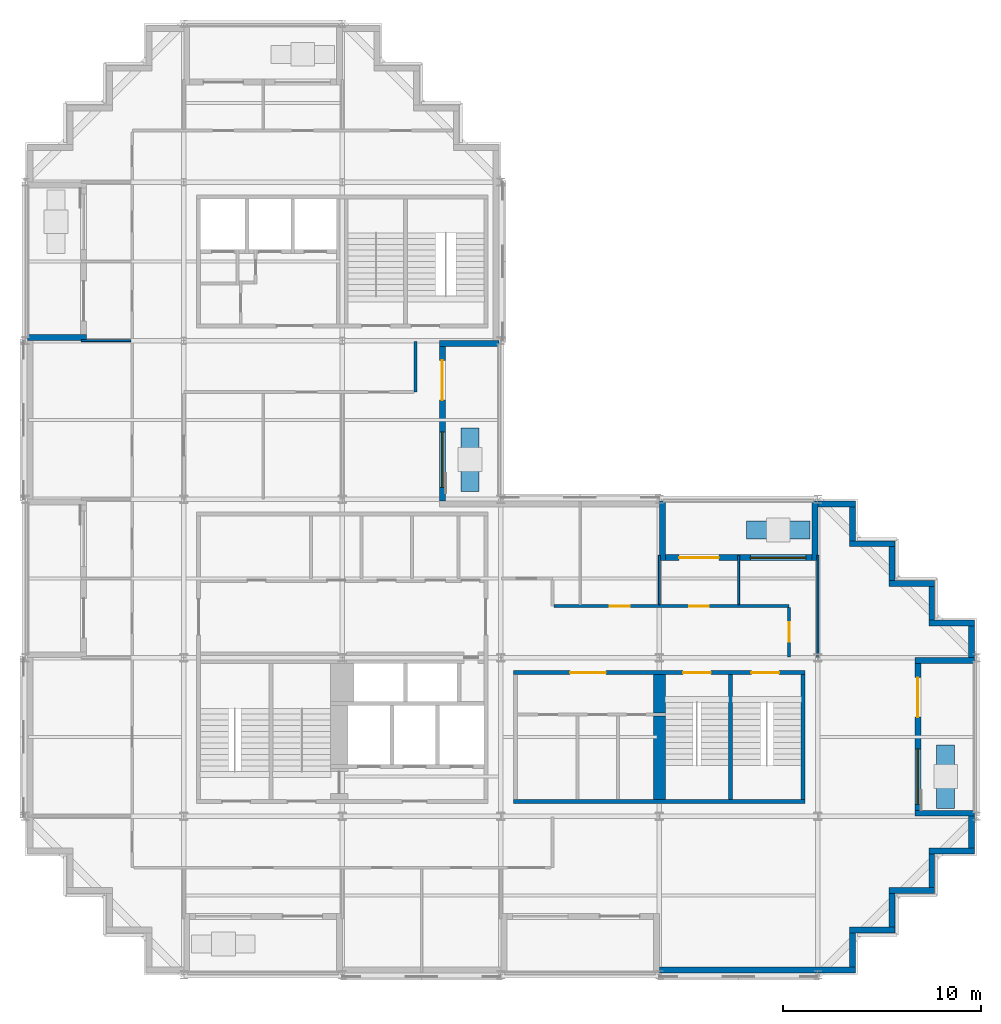
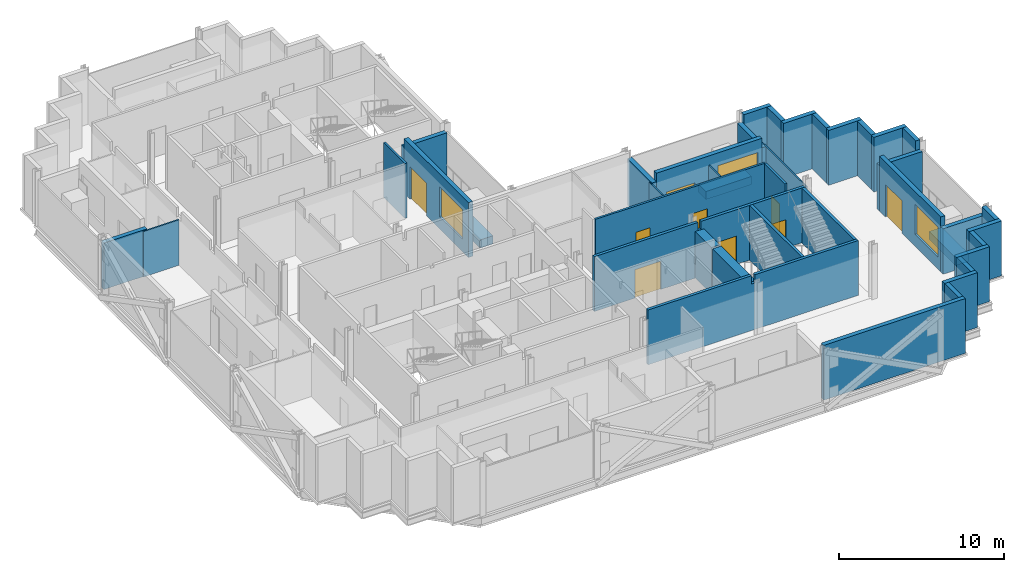
# One storey, part 7 of 13: 41 walls, 9 doors, 3 windows, 12 openings.
"""IFC4 building model written with IfcOpenShell, lengths in metres."""

from ifc_helpers import new_model, si_unit, direction, frame, frame_2d, origin, place, context, subcontext, project, spatial, polyline, rectangle, outline, extrude, material, layer, layer_set, type_object, element, fill, save


model = new_model("IFC4")

# Units and contexts
model_context = context("Model", 3, precision=1e-05, world=origin(), true_north=direction((0.0, 1.0)))
body_context = subcontext(model_context, "Body", "Model", "MODEL_VIEW")
ifc_project = project(units=[si_unit("LENGTHUNIT", "METRE"), si_unit("AREAUNIT", "SQUARE_METRE"), si_unit("VOLUMEUNIT", "CUBIC_METRE"), si_unit("PLANEANGLEUNIT", "RADIAN"), si_unit("MASSUNIT", "GRAM", prefix="KILO")], contexts=[model_context])

# Site, building, storey
site_placement = place(None, origin())
site = spatial("IfcSite", under=ifc_project, at=site_placement, CompositionType="ELEMENT")
building_placement = place(site_placement, origin())
building = spatial("IfcBuilding", under=site, at=building_placement, Name="Immortelle Media Tower", CompositionType="ELEMENT")
storey_placement = place(building_placement, frame((0.0, 0.0, 174.60009765625)))
storey = spatial("IfcBuildingStorey", under=building, at=storey_placement, Name="L36", CompositionType="ELEMENT", Elevation=174.60009765625)

# Wall, opening, door
ifc_material_1 = material(Name="Fire-rated gypsum board", Category="gypsum")
ifc_layer_1 = layer(ifc_material_1, 0.012451171875)
ifc_material_2 = material(Name="Steel ASTM A653 SS Gr 50 stud frame with mineral wool", Category="steel")
ifc_layer_2 = layer(ifc_material_2, 0.125)
ifc_layer_3 = layer(ifc_material_1, 0.012451171875)
ifc_layer_set_1 = layer_set([ifc_layer_1, ifc_layer_2, ifc_layer_3], Name="Steel ASTM A653 SS Gr 50 stud frame with mineral wool")
wall_type_1 = type_object("IfcWallType", Name="Corridor wall 150", PredefinedType="PARTITIONING", material=ifc_layer_set_1)
wall_1_placement = place(storey_placement, frame((38.550048828125, 16.030029296875, 0.0), z_axis=(0.0, 0.0, 1.0), x_axis=(0.0, 1.0, 0.0)))
wall_1 = element("IfcWall", 1, at=wall_1_placement, inside=storey, type_object=wall_type_1, Name="Partition L36-010", PredefinedType="PARTITIONING", context=body_context, shape_type="SweptSolid", body=[
    extrude(rectangle(XDim=2.494873046875, YDim=0.14990234375, at=frame_2d((1.24755859375, 0.0))), origin(), (0.0, 0.0, 1.0), 4.0498046875),
])
opening_1_placement = place(wall_1_placement, frame((1.77001953125, 0.0, 0.0), z_axis=(0.0, 0.0, 1.0), x_axis=(-1.0, 0.0, 0.0)))
opening_1 = element("IfcOpeningElement", 2, at=opening_1_placement, cuts=wall_1, Name="Opening C6-F008", PredefinedType="OPENING", context=body_context, shape_type="SweptSolid", body=[
    extrude(rectangle(XDim=1.0, YDim=2.10009765625, at=frame_2d((0.5, 1.050048828125))), frame((0.0, 0.0849609375, 0.0), z_axis=(0.0, -1.0, 0.0), x_axis=(1.0, 0.0, 0.0)), (0.0, 0.0, 1.0), 0.169921875),
])
ifc_material_3 = material(Name="Timber veneered door leaf, galvanised steel frame ASTM A653", Category="steel")
door_type_1 = type_object("IfcDoorType", Name="Room door 1000 x 2100", OperationType="NOTDEFINED", PredefinedType="DOOR", material=ifc_material_3)
door_1_placement = place(opening_1_placement, origin())
door_1 = element("IfcDoor", 3, at=door_1_placement, inside=storey, type_object=door_type_1, Name="Door C6-F008", OperationType="SINGLE_SWING_RIGHT", OverallHeight=2.10009765625, OverallWidth=1.0, PredefinedType="DOOR", context=body_context, shape_type="SweptSolid", body=[
    extrude(rectangle(XDim=1.0, YDim=2.10009765625, at=frame_2d((0.5, 1.050048828125))), frame((0.0, 0.02490234375, 0.0), z_axis=(0.0, -1.0, 0.0), x_axis=(1.0, 0.0, 0.0)), (0.0, 0.0, 1.0), 0.050048828125),
])
fill(opening_1, door_1)

# Wall, openings, doors
wall_2_placement = place(storey_placement, frame((26.675048828125, 18.60009765625, 0.0), z_axis=(0.0, 0.0, 1.0), x_axis=(1.0, 0.0, 0.0)))
wall_2 = element("IfcWall", 4, at=wall_2_placement, inside=storey, type_object=wall_type_1, Name="Partition L36-012", PredefinedType="PARTITIONING", context=body_context, shape_type="SweptSolid", body=[
    extrude(rectangle(XDim=11.875, YDim=0.14990234375, at=frame_2d((5.9375, 0.0))), origin(), (0.0, 0.0, 1.0), 4.0498046875),
])
opening_2_placement = place(wall_2_placement, frame((6.824951171875, 0.0, 0.0)))
opening_2 = element("IfcOpeningElement", 5, at=opening_2_placement, cuts=wall_2, Name="Opening C6-F007", PredefinedType="OPENING", context=body_context, shape_type="SweptSolid", body=[
    extrude(rectangle(XDim=1.0, YDim=2.10009765625, at=frame_2d((0.5, 1.050048828125))), frame((0.0, 0.0849609375, 0.0), z_axis=(0.0, -1.0, 0.0), x_axis=(1.0, 0.0, 0.0)), (0.0, 0.0, 1.0), 0.169921875),
])
opening_3_placement = place(wall_2_placement, frame((2.824951171875, 0.0, 0.0)))
opening_3 = element("IfcOpeningElement", 6, at=opening_3_placement, cuts=wall_2, Name="Opening C6-F012", PredefinedType="OPENING", context=body_context, shape_type="SweptSolid", body=[
    extrude(rectangle(XDim=1.0, YDim=2.10009765625, at=frame_2d((0.5, 1.050048828125))), frame((0.0, 0.0849609375, 0.0), z_axis=(0.0, -1.0, 0.0), x_axis=(1.0, 0.0, 0.0)), (0.0, 0.0, 1.0), 0.169921875),
])
door_2_placement = place(opening_2_placement, origin())
door_2 = element("IfcDoor", 7, at=door_2_placement, inside=storey, type_object=door_type_1, Name="Door C6-F007", OperationType="SINGLE_SWING_LEFT", OverallHeight=2.10009765625, OverallWidth=1.0, PredefinedType="DOOR", context=body_context, shape_type="SweptSolid", body=[
    extrude(rectangle(XDim=1.0, YDim=2.10009765625, at=frame_2d((0.5, 1.050048828125))), frame((0.0, 0.02490234375, 0.0), z_axis=(0.0, -1.0, 0.0), x_axis=(1.0, 0.0, 0.0)), (0.0, 0.0, 1.0), 0.050048828125),
])
fill(opening_2, door_2)
door_3_placement = place(opening_3_placement, origin())
door_3 = element("IfcDoor", 8, at=door_3_placement, inside=storey, type_object=door_type_1, Name="Door C6-F012", OperationType="SINGLE_SWING_RIGHT", OverallHeight=2.10009765625, OverallWidth=1.0, PredefinedType="DOOR", context=body_context, shape_type="SweptSolid", body=[
    extrude(rectangle(XDim=1.0, YDim=2.10009765625, at=frame_2d((0.5, 1.050048828125))), frame((0.0, 0.02490234375, 0.0), z_axis=(0.0, -1.0, 0.0), x_axis=(1.0, 0.0, 0.0)), (0.0, 0.0, 1.0), 0.050048828125),
])
fill(opening_3, door_3)

# Walls
wall_3_placement = place(storey_placement, frame((19.699951171875, 29.39990234375, 0.0), z_axis=(0.0, 0.0, 1.0), x_axis=(0.0, 1.0, 0.0)))
element("IfcWall", 9, at=wall_3_placement, inside=storey, type_object=wall_type_1, Name="Partition L36-024", PredefinedType="PARTITIONING", context=body_context, shape_type="SweptSolid", body=[
    extrude(rectangle(XDim=2.570068359375, YDim=0.14990234375, at=frame_2d((1.28515625, 0.0))), origin(), (0.0, 0.0, 1.0), 4.0498046875),
])
ifc_material_4 = material(Name="Pale aluminium cladding panel", Category="aluminium")
ifc_layer_4 = layer(ifc_material_4, 0.030029296875)
ifc_layer_5 = layer(ifc_material_2, 0.257568359375)
ifc_material_5 = material(Name="Moisture-resistant gypsum board", Category="gypsum")
ifc_layer_6 = layer(ifc_material_5, 0.012451171875)
ifc_layer_set_2 = layer_set([ifc_layer_4, ifc_layer_5, ifc_layer_6], Name="Steel ASTM A653 SS Gr 50 stud frame with mineral wool")
wall_type_2 = type_object("IfcWallType", Name="Facade wall 300", PredefinedType="SOLIDWALL", material=ifc_layer_set_2)
wall_4_placement = place(storey_placement, frame((32.0, 0.25, 0.0), z_axis=(0.0, 0.0, 1.0), x_axis=(1.0, 0.0, 0.0)))
element("IfcWall", 10, at=wall_4_placement, inside=storey, type_object=wall_type_2, Name="Facade wall L36 S6", PredefinedType="SOLIDWALL", context=body_context, shape_type="SweptSolid", body=[
    extrude(rectangle(XDim=9.89990234375, YDim=0.300048828125, at=frame_2d((4.949951171875, 0.0))), origin(), (0.0, 0.0, 1.0), 4.0498046875),
])
wall_5_placement = place(storey_placement, frame((41.75, 0.39990234375, 0.0), z_axis=(0.0, 0.0, 1.0), x_axis=(0.0, 1.0, 0.0)))
element("IfcWall", 11, at=wall_5_placement, inside=storey, type_object=wall_type_2, Name="Facade wall L36 E7", PredefinedType="SOLIDWALL", context=body_context, shape_type="SweptSolid", body=[
    extrude(rectangle(XDim=1.7001953125, YDim=0.300048828125, at=frame_2d((0.85009765625, 0.0))), origin(), (0.0, 0.0, 1.0), 4.0498046875),
])
wall_6_placement = place(storey_placement, frame((41.60009765625, 2.25, 0.0), z_axis=(0.0, 0.0, 1.0), x_axis=(1.0, 0.0, 0.0)))
element("IfcWall", 12, at=wall_6_placement, inside=storey, type_object=wall_type_2, Name="Facade wall L36 S8", PredefinedType="SOLIDWALL", context=body_context, shape_type="SweptSolid", body=[
    extrude(rectangle(XDim=2.2998046875, YDim=0.300048828125, at=frame_2d((1.14990234375, 0.0))), origin(), (0.0, 0.0, 1.0), 4.0498046875),
])
wall_7_placement = place(storey_placement, frame((43.75, 2.39990234375, 0.0), z_axis=(0.0, 0.0, 1.0), x_axis=(0.0, 1.0, 0.0)))
element("IfcWall", 13, at=wall_7_placement, inside=storey, type_object=wall_type_2, Name="Facade wall L36 E9", PredefinedType="SOLIDWALL", context=body_context, shape_type="SweptSolid", body=[
    extrude(rectangle(XDim=1.7001953125, YDim=0.300048828125, at=frame_2d((0.85009765625, 0.0))), origin(), (0.0, 0.0, 1.0), 4.0498046875),
])
wall_8_placement = place(storey_placement, frame((43.60009765625, 4.25, 0.0), z_axis=(0.0, 0.0, 1.0), x_axis=(1.0, 0.0, 0.0)))
element("IfcWall", 14, at=wall_8_placement, inside=storey, type_object=wall_type_2, Name="Facade wall L36 S10", PredefinedType="SOLIDWALL", context=body_context, shape_type="SweptSolid", body=[
    extrude(rectangle(XDim=2.2998046875, YDim=0.300048828125, at=frame_2d((1.14990234375, 0.0))), origin(), (0.0, 0.0, 1.0), 4.0498046875),
])
wall_9_placement = place(storey_placement, frame((45.75, 4.39990234375, 0.0), z_axis=(0.0, 0.0, 1.0), x_axis=(0.0, 1.0, 0.0)))
element("IfcWall", 15, at=wall_9_placement, inside=storey, type_object=wall_type_2, Name="Facade wall L36 E11", PredefinedType="SOLIDWALL", context=body_context, shape_type="SweptSolid", body=[
    extrude(rectangle(XDim=1.7001953125, YDim=0.300048828125, at=frame_2d((0.85009765625, 0.0))), origin(), (0.0, 0.0, 1.0), 4.0498046875),
])
wall_10_placement = place(storey_placement, frame((45.60009765625, 6.25, 0.0), z_axis=(0.0, 0.0, 1.0), x_axis=(1.0, 0.0, 0.0)))
element("IfcWall", 16, at=wall_10_placement, inside=storey, type_object=wall_type_2, Name="Facade wall L36 S12", PredefinedType="SOLIDWALL", context=body_context, shape_type="SweptSolid", body=[
    extrude(rectangle(XDim=2.2998046875, YDim=0.300048828125, at=frame_2d((1.14990234375, 0.0))), origin(), (0.0, 0.0, 1.0), 4.0498046875),
])
wall_11_placement = place(storey_placement, frame((47.75, 6.39990234375, 0.0), z_axis=(0.0, 0.0, 1.0), x_axis=(0.0, 1.0, 0.0)))
element("IfcWall", 17, at=wall_11_placement, inside=storey, type_object=wall_type_2, Name="Facade wall L36 E13", PredefinedType="SOLIDWALL", context=body_context, shape_type="SweptSolid", body=[
    extrude(rectangle(XDim=1.60009765625, YDim=0.300048828125, at=frame_2d((0.800048828125, 0.0))), origin(), (0.0, 0.0, 1.0), 4.0498046875),
])

# Wall, openings, door, window
wall_12_placement = place(storey_placement, frame((45.050048828125, 8.300048828125, 0.0), z_axis=(0.0, 0.0, 1.0), x_axis=(0.0, 1.0, 0.0)))
wall_12 = element("IfcWall", 18, at=wall_12_placement, inside=storey, type_object=wall_type_2, Name="Loggia wall L36 E13", PredefinedType="SOLIDWALL", context=body_context, shape_type="SweptSolid", body=[
    extrude(rectangle(XDim=7.39990234375, YDim=0.300048828125, at=frame_2d((3.699951171875, 0.0))), origin(), (0.0, 0.0, 1.0), 4.0498046875),
])
opening_4_placement = place(wall_12_placement, frame((0.300048828125, 0.0, 0.89990234375)))
opening_4 = element("IfcOpeningElement", 19, at=opening_4_placement, cuts=wall_12, Name="Opening W1", PredefinedType="OPENING", context=body_context, shape_type="SweptSolid", body=[
    extrude(rectangle(XDim=2.800048828125, YDim=2.199951171875, at=frame_2d((1.39990234375, 1.10009765625))), frame((0.0, 0.159912109375, 0.0), z_axis=(0.0, -1.0, 0.0), x_axis=(1.0, 0.0, 0.0)), (0.0, 0.0, 1.0), 0.320068359375),
])
opening_5_placement = place(wall_12_placement, frame((4.699951171875, 0.0, 0.0)))
opening_5 = element("IfcOpeningElement", 20, at=opening_5_placement, cuts=wall_12, Name="Opening C6-E003", PredefinedType="OPENING", context=body_context, shape_type="SweptSolid", body=[
    extrude(rectangle(XDim=2.0, YDim=2.39990234375, at=frame_2d((1.0, 1.199951171875))), frame((0.0, 0.159912109375, 0.0), z_axis=(0.0, -1.0, 0.0), x_axis=(1.0, 0.0, 0.0)), (0.0, 0.0, 1.0), 0.320068359375),
])
ifc_material_6 = material(Name="Aluminium frame, glazed leaves", Category="aluminium")
door_type_2 = type_object("IfcDoorType", Name="Loggia door 2000 x 2400", OperationType="DOUBLE_DOOR_SINGLE_SWING", PredefinedType="DOOR", material=ifc_material_6)
door_4_placement = place(opening_5_placement, origin())
door_4 = element("IfcDoor", 21, at=door_4_placement, inside=storey, type_object=door_type_2, Name="Door C6-E003", OperationType="DOUBLE_DOOR_SINGLE_SWING", OverallHeight=2.39990234375, OverallWidth=2.0, PredefinedType="DOOR", context=body_context, shape_type="SweptSolid", body=[
    extrude(rectangle(XDim=2.0, YDim=2.39990234375, at=frame_2d((1.0, 1.199951171875))), frame((0.0, 0.02490234375, 0.0), z_axis=(0.0, -1.0, 0.0), x_axis=(1.0, 0.0, 0.0)), (0.0, 0.0, 1.0), 0.050048828125),
])
fill(opening_5, door_4)
ifc_material_7 = material(Name="Aluminium frame", Category="aluminium")
window_type = type_object("IfcWindowType", Name="Window 2800 x 2200", PartitioningType="SINGLE_PANEL", PredefinedType="WINDOW", material=ifc_material_7)
window_1_placement = place(opening_4_placement, origin())
window_1 = element("IfcWindow", 22, at=window_1_placement, inside=storey, type_object=window_type, Name="Window L36 L36-R13-B0", OverallHeight=2.199951171875, OverallWidth=2.800048828125, PartitioningType="SINGLE_PANEL", PredefinedType="WINDOW", context=body_context, shape_type="SweptSolid", body=[
    extrude(rectangle(XDim=2.800048828125, YDim=2.199951171875, at=frame_2d((1.39990234375, 1.10009765625))), frame((0.0, 0.030029296875, 0.0), z_axis=(0.0, -1.0, 0.0), x_axis=(1.0, 0.0, 0.0)), (0.0, 0.0, 1.0), 0.06005859375),
])
fill(opening_4, window_1)

# Walls
for number, where, z_axis, x_axis, name in (
    (23, (47.89990234375, 8.14990234375, 0.0), (0.0, 0.0, 1.0), (-1.0, 0.0, 0.0), "Loggia cheek wall L36 E"),
    (24, (47.89990234375, 15.85009765625, 0.0), (0.0, 0.0, 1.0), (-1.0, 0.0, 0.0), "Loggia cheek wall L36 E"),
):
    element("IfcWall", number, at=place(storey_placement, frame(where, z_axis=z_axis, x_axis=x_axis)), inside=storey, type_object=wall_type_2, Name=name, PredefinedType="SOLIDWALL", context=body_context, shape_type="SweptSolid", body=[
        extrude(rectangle(XDim=3.0, YDim=0.300048828125, at=frame_2d((1.5, 0.0))), origin(), (0.0, 0.0, 1.0), 3.352783203125),
    ])
wall_13_placement = place(storey_placement, frame((47.75, 16.0, 0.0), z_axis=(0.0, 0.0, 1.0), x_axis=(0.0, 1.0, 0.0)))
element("IfcWall", 25, at=wall_13_placement, inside=storey, type_object=wall_type_2, Name="Facade wall L36 E13", PredefinedType="SOLIDWALL", context=body_context, shape_type="SweptSolid", body=[
    extrude(rectangle(XDim=1.60009765625, YDim=0.300048828125, at=frame_2d((0.800048828125, 0.0))), origin(), (0.0, 0.0, 1.0), 4.0498046875),
])
wall_14_placement = place(storey_placement, frame((47.89990234375, 17.75, 0.0), z_axis=(0.0, 0.0, 1.0), x_axis=(-1.0, 0.0, 0.0)))
element("IfcWall", 26, at=wall_14_placement, inside=storey, type_object=wall_type_2, Name="Facade wall L36 N14", PredefinedType="SOLIDWALL", context=body_context, shape_type="SweptSolid", body=[
    extrude(rectangle(XDim=2.2998046875, YDim=0.300048828125, at=frame_2d((1.14990234375, 0.0))), origin(), (0.0, 0.0, 1.0), 4.0498046875),
])
wall_15_placement = place(storey_placement, frame((45.75, 17.89990234375, 0.0), z_axis=(0.0, 0.0, 1.0), x_axis=(0.0, 1.0, 0.0)))
element("IfcWall", 27, at=wall_15_placement, inside=storey, type_object=wall_type_2, Name="Facade wall L36 E15", PredefinedType="SOLIDWALL", context=body_context, shape_type="SweptSolid", body=[
    extrude(rectangle(XDim=1.7001953125, YDim=0.300048828125, at=frame_2d((0.85009765625, 0.0))), origin(), (0.0, 0.0, 1.0), 4.0498046875),
])
wall_16_placement = place(storey_placement, frame((45.89990234375, 19.75, 0.0), z_axis=(0.0, 0.0, 1.0), x_axis=(-1.0, 0.0, 0.0)))
element("IfcWall", 28, at=wall_16_placement, inside=storey, type_object=wall_type_2, Name="Facade wall L36 N16", PredefinedType="SOLIDWALL", context=body_context, shape_type="SweptSolid", body=[
    extrude(rectangle(XDim=2.2998046875, YDim=0.300048828125, at=frame_2d((1.14990234375, 0.0))), origin(), (0.0, 0.0, 1.0), 4.0498046875),
])
wall_17_placement = place(storey_placement, frame((43.75, 19.89990234375, 0.0), z_axis=(0.0, 0.0, 1.0), x_axis=(0.0, 1.0, 0.0)))
element("IfcWall", 29, at=wall_17_placement, inside=storey, type_object=wall_type_2, Name="Facade wall L36 E17", PredefinedType="SOLIDWALL", context=body_context, shape_type="SweptSolid", body=[
    extrude(rectangle(XDim=1.7001953125, YDim=0.300048828125, at=frame_2d((0.85009765625, 0.0))), origin(), (0.0, 0.0, 1.0), 4.0498046875),
])
wall_18_placement = place(storey_placement, frame((43.89990234375, 21.75, 0.0), z_axis=(0.0, 0.0, 1.0), x_axis=(-1.0, 0.0, 0.0)))
element("IfcWall", 30, at=wall_18_placement, inside=storey, type_object=wall_type_2, Name="Facade wall L36 N18", PredefinedType="SOLIDWALL", context=body_context, shape_type="SweptSolid", body=[
    extrude(rectangle(XDim=2.2998046875, YDim=0.300048828125, at=frame_2d((1.14990234375, 0.0))), origin(), (0.0, 0.0, 1.0), 4.0498046875),
])
wall_19_placement = place(storey_placement, frame((41.75, 21.89990234375, 0.0), z_axis=(0.0, 0.0, 1.0), x_axis=(0.0, 1.0, 0.0)))
element("IfcWall", 31, at=wall_19_placement, inside=storey, type_object=wall_type_2, Name="Facade wall L36 E19", PredefinedType="SOLIDWALL", context=body_context, shape_type="SweptSolid", body=[
    extrude(rectangle(XDim=1.7001953125, YDim=0.300048828125, at=frame_2d((0.85009765625, 0.0))), origin(), (0.0, 0.0, 1.0), 4.0498046875),
])
wall_20_placement = place(storey_placement, frame((41.89990234375, 23.75, 0.0), z_axis=(0.0, 0.0, 1.0), x_axis=(-1.0, 0.0, 0.0)))
element("IfcWall", 32, at=wall_20_placement, inside=storey, type_object=wall_type_2, Name="Facade wall L36 N20", PredefinedType="SOLIDWALL", context=body_context, shape_type="SweptSolid", body=[
    extrude(rectangle(XDim=1.89990234375, YDim=0.300048828125, at=frame_2d((0.949951171875, 0.0))), origin(), (0.0, 0.0, 1.0), 4.0498046875),
])

# Wall, openings, door, window
wall_21_placement = place(storey_placement, frame((39.699951171875, 21.050048828125, 0.0), z_axis=(0.0, 0.0, 1.0), x_axis=(-1.0, 0.0, 0.0)))
wall_21 = element("IfcWall", 33, at=wall_21_placement, inside=storey, type_object=wall_type_2, Name="Loggia wall L36 N20", PredefinedType="SOLIDWALL", context=body_context, shape_type="SweptSolid", body=[
    extrude(rectangle(XDim=7.39990234375, YDim=0.300048828125, at=frame_2d((3.699951171875, 0.0))), origin(), (0.0, 0.0, 1.0), 4.0498046875),
])
opening_6_placement = place(wall_21_placement, frame((0.300048828125, 0.0, 0.89990234375)))
opening_6 = element("IfcOpeningElement", 34, at=opening_6_placement, cuts=wall_21, Name="Opening W1", PredefinedType="OPENING", context=body_context, shape_type="SweptSolid", body=[
    extrude(rectangle(XDim=2.800048828125, YDim=2.199951171875, at=frame_2d((1.39990234375, 1.10009765625))), frame((0.0, 0.159912109375, 0.0), z_axis=(0.0, -1.0, 0.0), x_axis=(1.0, 0.0, 0.0)), (0.0, 0.0, 1.0), 0.320068359375),
])
opening_7_placement = place(wall_21_placement, frame((4.699951171875, 0.0, 0.0)))
opening_7 = element("IfcOpeningElement", 35, at=opening_7_placement, cuts=wall_21, Name="Opening C6-E004", PredefinedType="OPENING", context=body_context, shape_type="SweptSolid", body=[
    extrude(rectangle(XDim=2.0, YDim=2.39990234375, at=frame_2d((1.0, 1.199951171875))), frame((0.0, 0.159912109375, 0.0), z_axis=(0.0, -1.0, 0.0), x_axis=(1.0, 0.0, 0.0)), (0.0, 0.0, 1.0), 0.320068359375),
])
door_5_placement = place(opening_7_placement, origin())
door_5 = element("IfcDoor", 36, at=door_5_placement, inside=storey, type_object=door_type_2, Name="Door C6-E004", OperationType="DOUBLE_DOOR_SINGLE_SWING", OverallHeight=2.39990234375, OverallWidth=2.0, PredefinedType="DOOR", context=body_context, shape_type="SweptSolid", body=[
    extrude(rectangle(XDim=2.0, YDim=2.39990234375, at=frame_2d((1.0, 1.199951171875))), frame((0.0, 0.02490234375, 0.0), z_axis=(0.0, -1.0, 0.0), x_axis=(1.0, 0.0, 0.0)), (0.0, 0.0, 1.0), 0.050048828125),
])
fill(opening_7, door_5)
window_2_placement = place(opening_6_placement, origin())
window_2 = element("IfcWindow", 37, at=window_2_placement, inside=storey, type_object=window_type, Name="Window L36 L36-R20-B0", OverallHeight=2.199951171875, OverallWidth=2.800048828125, PartitioningType="SINGLE_PANEL", PredefinedType="WINDOW", context=body_context, shape_type="SweptSolid", body=[
    extrude(rectangle(XDim=2.800048828125, YDim=2.199951171875, at=frame_2d((1.39990234375, 1.10009765625))), frame((0.0, 0.030029296875, 0.0), z_axis=(0.0, -1.0, 0.0), x_axis=(1.0, 0.0, 0.0)), (0.0, 0.0, 1.0), 0.06005859375),
])
fill(opening_6, window_2)

# Walls
wall_22_placement = place(storey_placement, frame((39.85009765625, 23.89990234375, 0.0), z_axis=(0.0, 0.0, 1.0), x_axis=(0.0, -1.0, 0.0)))
element("IfcWall", 38, at=wall_22_placement, inside=storey, type_object=wall_type_2, Name="Loggia cheek wall L36 N", PredefinedType="SOLIDWALL", context=body_context, shape_type="SweptSolid", body=[
    extrude(rectangle(XDim=3.0, YDim=0.300048828125, at=frame_2d((1.5, 0.0))), origin(), (0.0, 0.0, 1.0), 3.352783203125),
])
wall_23_placement = place(storey_placement, frame((32.14990234375, 23.89990234375, 0.0), z_axis=(0.0, 0.0, 1.0), x_axis=(0.0, -1.0, 0.0)))
element("IfcWall", 39, at=wall_23_placement, inside=storey, type_object=wall_type_2, Name="Loggia cheek wall L36 N", PredefinedType="SOLIDWALL", context=body_context, shape_type="SweptSolid", body=[
    extrude(rectangle(XDim=3.0, YDim=0.300048828125, at=frame_2d((1.5, 0.0))), origin(), (0.0, 0.0, 1.0), 3.43701171875),
])

# Wall, openings, door, window
wall_24_placement = place(storey_placement, frame((21.050048828125, 23.89990234375, 0.0), z_axis=(0.0, 0.0, 1.0), x_axis=(0.0, 1.0, 0.0)))
wall_24 = element("IfcWall", 40, at=wall_24_placement, inside=storey, type_object=wall_type_2, Name="Loggia wall L36 E21", PredefinedType="SOLIDWALL", context=body_context, shape_type="SweptSolid", body=[
    extrude(rectangle(XDim=7.800048828125, YDim=0.300048828125, at=frame_2d((3.89990234375, 0.0))), origin(), (0.0, 0.0, 1.0), 4.0498046875),
])
opening_8_placement = place(wall_24_placement, frame((0.699951171875, 0.0, 0.89990234375)))
opening_8 = element("IfcOpeningElement", 41, at=opening_8_placement, cuts=wall_24, Name="Opening W1", PredefinedType="OPENING", context=body_context, shape_type="SweptSolid", body=[
    extrude(rectangle(XDim=2.800048828125, YDim=2.199951171875, at=frame_2d((1.39990234375, 1.10009765625))), frame((0.0, 0.159912109375, 0.0), z_axis=(0.0, -1.0, 0.0), x_axis=(1.0, 0.0, 0.0)), (0.0, 0.0, 1.0), 0.320068359375),
])
opening_9_placement = place(wall_24_placement, frame((5.10009765625, 0.0, 0.0)))
opening_9 = element("IfcOpeningElement", 42, at=opening_9_placement, cuts=wall_24, Name="Opening C6-E005", PredefinedType="OPENING", context=body_context, shape_type="SweptSolid", body=[
    extrude(rectangle(XDim=2.0, YDim=2.39990234375, at=frame_2d((1.0, 1.199951171875))), frame((0.0, 0.159912109375, 0.0), z_axis=(0.0, -1.0, 0.0), x_axis=(1.0, 0.0, 0.0)), (0.0, 0.0, 1.0), 0.320068359375),
])
door_6_placement = place(opening_9_placement, origin())
door_6 = element("IfcDoor", 43, at=door_6_placement, inside=storey, type_object=door_type_2, Name="Door C6-E005", OperationType="DOUBLE_DOOR_SINGLE_SWING", OverallHeight=2.39990234375, OverallWidth=2.0, PredefinedType="DOOR", context=body_context, shape_type="SweptSolid", body=[
    extrude(rectangle(XDim=2.0, YDim=2.39990234375, at=frame_2d((1.0, 1.199951171875))), frame((0.0, 0.02490234375, 0.0), z_axis=(0.0, -1.0, 0.0), x_axis=(1.0, 0.0, 0.0)), (0.0, 0.0, 1.0), 0.050048828125),
])
fill(opening_9, door_6)
window_3_placement = place(opening_8_placement, origin())
window_3 = element("IfcWindow", 44, at=window_3_placement, inside=storey, type_object=window_type, Name="Window L36 L36-R21-B0", OverallHeight=2.199951171875, OverallWidth=2.800048828125, PartitioningType="SINGLE_PANEL", PredefinedType="WINDOW", context=body_context, shape_type="SweptSolid", body=[
    extrude(rectangle(XDim=2.800048828125, YDim=2.199951171875, at=frame_2d((1.39990234375, 1.10009765625))), frame((0.0, 0.030029296875, 0.0), z_axis=(0.0, -1.0, 0.0), x_axis=(1.0, 0.0, 0.0)), (0.0, 0.0, 1.0), 0.06005859375),
])
fill(opening_8, window_3)

# Walls
for number, where, z_axis, x_axis, name in (
    (45, (23.89990234375, 31.85009765625, 0.0), (0.0, 0.0, 1.0), (-1.0, 0.0, 0.0), "Loggia cheek wall L36 E"),
    (46, (0.10009765625, 32.14990234375, 0.0), (0.0, 0.0, 1.0), (1.0, 0.0, 0.0), "Loggia cheek wall L36 W"),
):
    element("IfcWall", number, at=place(storey_placement, frame(where, z_axis=z_axis, x_axis=x_axis)), inside=storey, type_object=wall_type_2, Name=name, PredefinedType="SOLIDWALL", context=body_context, shape_type="SweptSolid", body=[
        extrude(rectangle(XDim=3.0, YDim=0.300048828125, at=frame_2d((1.5, 0.0))), origin(), (0.0, 0.0, 1.0), 3.43701171875),
    ])
ifc_material_8 = material(Name="Gypsum board", Category="gypsum")
ifc_layer_7 = layer(ifc_material_8, 0.012451171875)
ifc_layer_8 = layer(ifc_material_2, 0.074951171875)
ifc_layer_9 = layer(ifc_material_8, 0.012451171875)
ifc_layer_set_3 = layer_set([ifc_layer_7, ifc_layer_8, ifc_layer_9], Name="Steel ASTM A653 SS Gr 50 stud frame with mineral wool")
wall_type_3 = type_object("IfcWallType", Name="Partition 100", PredefinedType="PARTITIONING", material=ifc_layer_set_3)
wall_25_placement = place(storey_placement, frame((40.0, 16.030029296875, 0.0), z_axis=(0.0, 0.0, 1.0), x_axis=(0.0, 1.0, 0.0)))
element("IfcWall", 47, at=wall_25_placement, inside=storey, type_object=wall_type_3, Name="Partition L36-011", PredefinedType="PARTITIONING", context=body_context, shape_type="SweptSolid", body=[
    extrude(rectangle(XDim=5.139892578125, YDim=0.10009765625, at=frame_2d((2.56982421875, 0.0))), origin(), (0.0, 0.0, 1.0), 3.35400390625),
])
for number, where, z_axis, x_axis, name in (
    (48, (32.0, 18.675048828125, 0.0), (0.0, 0.0, 1.0), (0.0, 1.0, 0.0), "Partition L36-015"),
    (49, (36.0, 18.675048828125, 0.0), (0.0, 0.0, 1.0), (0.0, 1.0, 0.0), "Partition L36-016"),
    (50, (2.830078125, 32.0, 0.0), (0.0, 0.0, 1.0), (1.0, 0.0, 0.0), "Partition L36-025"),
):
    element("IfcWall", number, at=place(storey_placement, frame(where, z_axis=z_axis, x_axis=x_axis)), inside=storey, type_object=wall_type_3, Name=name, PredefinedType="PARTITIONING", context=body_context, shape_type="SweptSolid", body=[
        extrude(rectangle(XDim=2.494873046875, YDim=0.10009765625, at=frame_2d((1.24755859375, 0.0))), origin(), (0.0, 0.0, 1.0), 3.35400390625),
    ])
ifc_layer_10 = layer(ifc_material_4, 0.0029296875)
ifc_material_9 = material(Name="Steel ASTM A572 Gr 50 planter shell", Category="steel")
ifc_layer_11 = layer(ifc_material_9, 0.011962890625)
ifc_material_10 = material(Name="Planting substrate", Category="soil")
ifc_layer_12 = layer(ifc_material_10, 0.873046875)
ifc_layer_13 = layer(ifc_material_9, 0.011962890625)
ifc_layer_set_4 = layer_set([ifc_layer_10, ifc_layer_11, ifc_layer_12, ifc_layer_13], Name="Steel ASTM A572 Gr 50 planter shell")
wall_type_4 = type_object("IfcWallType", Name="Planter wall 900", PredefinedType="SOLIDWALL", material=ifc_layer_set_4)
for number, where, z_axis, x_axis, name in (
    (51, (46.449951171875, 8.39990234375, 0.0), (0.0, 0.0, 1.0), (0.0, 1.0, 0.0), "Planter L36 E0"),
    (52, (39.60009765625, 22.449951171875, 0.0), (0.0, 0.0, 1.0), (-1.0, 0.0, 0.0), "Planter L36 N0"),
    (53, (22.449951171875, 24.39990234375, 0.0), (0.0, 0.0, 1.0), (0.0, 1.0, 0.0), "Planter L36 E0"),
):
    element("IfcWall", number, at=place(storey_placement, frame(where, z_axis=z_axis, x_axis=x_axis)), inside=storey, type_object=wall_type_4, Name=name, PredefinedType="SOLIDWALL", context=body_context, shape_type="SweptSolid", body=[
        extrude(rectangle(XDim=3.2001953125, YDim=0.89990234375, at=frame_2d((1.60009765625, 0.0))), origin(), (0.0, 0.0, 1.0), 0.599853515625),
    ])
ifc_material_11 = material(Name="Concrete C60", Category="concrete")
ifc_layer_14 = layer(ifc_material_11, 0.199951171875)
ifc_layer_set_5 = layer_set([ifc_layer_14], Name="Concrete C60")
wall_type_5 = type_object("IfcWallType", Name="Stair shaft wall 200", PredefinedType="PARTITIONING", material=ifc_layer_set_5)
wall_26_placement = place(storey_placement, frame((24.64990234375, 8.75, 0.0), z_axis=(0.0, 0.0, 1.0), x_axis=(1.0, 0.0, 0.0)))
element("IfcWall", 54, at=wall_26_placement, inside=storey, type_object=wall_type_5, Name="Stair shaft wall SE", PredefinedType="PARTITIONING", context=body_context, shape_type="SweptSolid", body=[
    extrude(outline(polyline([(0.0, 0.0), (14.7001953125, 0.0), (14.699951171875, 4.0498046875), (7.468994140625, 4.0498046875), (7.468017578125, 3.44189453125), (7.23193359375, 3.44189453125), (7.23095703125, 4.0498046875), (0.0, 4.0498046875), (0.0, 0.0)])), frame((0.0, 0.10009765625, 0.0), z_axis=(0.0, -1.0, 0.0), x_axis=(1.0, 0.0, 0.0)), (0.0, 0.0, 1.0), 0.199951171875),
])

# Wall, openings, doors
wall_27_placement = place(storey_placement, frame((24.64990234375, 15.25, 0.0), z_axis=(0.0, 0.0, 1.0), x_axis=(1.0, 0.0, 0.0)))
wall_27 = element("IfcWall", 55, at=wall_27_placement, inside=storey, type_object=wall_type_5, Name="Stair shaft wall SE", PredefinedType="PARTITIONING", context=body_context, shape_type="SweptSolid", body=[
    extrude(outline(polyline([(0.0, 0.0), (14.7001953125, 0.0), (14.699951171875, 4.0498046875), (7.468994140625, 4.0498046875), (7.468017578125, 3.44189453125), (7.23193359375, 3.44189453125), (7.23095703125, 4.0498046875), (0.0, 4.0498046875), (0.0, 0.0)])), frame((0.0, 0.10009765625, 0.0), z_axis=(0.0, -1.0, 0.0), x_axis=(1.0, 0.0, 0.0)), (0.0, 0.0, 1.0), 0.199951171875),
])
opening_10_placement = place(wall_27_placement, frame((2.85009765625, 0.0, 0.0)))
opening_10 = element("IfcOpeningElement", 56, at=opening_10_placement, cuts=wall_27, Name="Opening C6-K017", PredefinedType="OPENING", context=body_context, shape_type="SweptSolid", body=[
    extrude(rectangle(XDim=1.800048828125, YDim=2.10009765625, at=frame_2d((0.89990234375, 1.050048828125))), frame((0.0, 0.10986328125, 0.0), z_axis=(0.0, -1.0, 0.0), x_axis=(1.0, 0.0, 0.0)), (0.0, 0.0, 1.0), 0.219970703125),
])
opening_11_placement = place(wall_27_placement, frame((9.949951171875, 0.0, 0.0), z_axis=(0.0, 0.0, 1.0), x_axis=(-1.0, 0.0, 0.0)))
opening_11 = element("IfcOpeningElement", 57, at=opening_11_placement, cuts=wall_27, Name="Opening C6-K020", PredefinedType="OPENING", context=body_context, shape_type="SweptSolid", body=[
    extrude(rectangle(XDim=1.39990234375, YDim=2.10009765625, at=frame_2d((0.699951171875, 1.050048828125))), frame((0.0, 0.10986328125, 0.0), z_axis=(0.0, -1.0, 0.0), x_axis=(1.0, 0.0, 0.0)), (0.0, 0.0, 1.0), 0.219970703125),
])
opening_12_placement = place(wall_27_placement, frame((13.39990234375, 0.0, 0.0), z_axis=(0.0, 0.0, 1.0), x_axis=(-1.0, 0.0, 0.0)))
opening_12 = element("IfcOpeningElement", 58, at=opening_12_placement, cuts=wall_27, Name="Opening C6-K021", PredefinedType="OPENING", context=body_context, shape_type="SweptSolid", body=[
    extrude(rectangle(XDim=1.39990234375, YDim=2.10009765625, at=frame_2d((0.699951171875, 1.050048828125))), frame((0.0, 0.10986328125, 0.0), z_axis=(0.0, -1.0, 0.0), x_axis=(1.0, 0.0, 0.0)), (0.0, 0.0, 1.0), 0.219970703125),
])
ifc_material_12 = material(Name="Galvanised steel door leaf and frame ASTM A653", Category="steel")
door_type_3 = type_object("IfcDoorType", Name="Lift lobby door 1800 x 2100", OperationType="DOUBLE_DOOR_SINGLE_SWING", PredefinedType="NOTDEFINED", material=ifc_material_12)
door_7_placement = place(opening_10_placement, origin())
door_7 = element("IfcDoor", 59, at=door_7_placement, inside=storey, type_object=door_type_3, Name="Lift lobby C6-K017", OperationType="DOUBLE_DOOR_SINGLE_SWING", OverallHeight=2.10009765625, OverallWidth=1.800048828125, PredefinedType="NOTDEFINED", context=body_context, shape_type="SweptSolid", body=[
    extrude(rectangle(XDim=1.800048828125, YDim=2.10009765625, at=frame_2d((0.89990234375, 1.050048828125))), frame((0.0, 0.02490234375, 0.0), z_axis=(0.0, -1.0, 0.0), x_axis=(1.0, 0.0, 0.0)), (0.0, 0.0, 1.0), 0.050048828125),
])
fill(opening_10, door_7)
door_type_4 = type_object("IfcDoorType", Name="Stair door 1400 x 2100", OperationType="DOUBLE_DOOR_SINGLE_SWING", PredefinedType="NOTDEFINED", material=ifc_material_12)
door_8_placement = place(opening_11_placement, origin())
door_8 = element("IfcDoor", 60, at=door_8_placement, inside=storey, type_object=door_type_4, Name="Stair C6-K020", OperationType="DOUBLE_DOOR_SINGLE_SWING", OverallHeight=2.10009765625, OverallWidth=1.39990234375, PredefinedType="NOTDEFINED", context=body_context, shape_type="SweptSolid", body=[
    extrude(rectangle(XDim=1.39990234375, YDim=2.10009765625, at=frame_2d((0.699951171875, 1.050048828125))), frame((0.0, 0.02490234375, 0.0), z_axis=(0.0, -1.0, 0.0), x_axis=(1.0, 0.0, 0.0)), (0.0, 0.0, 1.0), 0.050048828125),
])
fill(opening_11, door_8)
door_9_placement = place(opening_12_placement, origin())
door_9 = element("IfcDoor", 61, at=door_9_placement, inside=storey, type_object=door_type_4, Name="Stair C6-K021", OperationType="DOUBLE_DOOR_SINGLE_SWING", OverallHeight=2.10009765625, OverallWidth=1.39990234375, PredefinedType="NOTDEFINED", context=body_context, shape_type="SweptSolid", body=[
    extrude(rectangle(XDim=1.39990234375, YDim=2.10009765625, at=frame_2d((0.699951171875, 1.050048828125))), frame((0.0, 0.02490234375, 0.0), z_axis=(0.0, -1.0, 0.0), x_axis=(1.0, 0.0, 0.0)), (0.0, 0.0, 1.0), 0.050048828125),
])
fill(opening_12, door_9)

# Walls
for number, where, z_axis, x_axis, name in (
    (62, (35.60009765625, 8.85009765625, 0.0), (0.0, 0.0, 1.0), (0.0, 1.0, 0.0), "Stair shaft wall SE"),
    (63, (39.25, 8.85009765625, 0.0), (0.0, 0.0, 1.0), (0.0, 1.0, 0.0), "Stair shaft wall SE"),
):
    element("IfcWall", number, at=place(storey_placement, frame(where, z_axis=z_axis, x_axis=x_axis)), inside=storey, type_object=wall_type_5, Name=name, PredefinedType="PARTITIONING", context=body_context, shape_type="SweptSolid", body=[
        extrude(rectangle(XDim=6.2998046875, YDim=0.199951171875, at=frame_2d((3.14990234375, 0.0))), origin(), (0.0, 0.0, 1.0), 4.0498046875),
    ])
ifc_layer_15 = layer(ifc_material_11, 0.60009765625)
ifc_layer_set_6 = layer_set([ifc_layer_15], Name="Concrete C60")
wall_type_6 = type_object("IfcWallType", Name="Stair shaft wall 600", PredefinedType="PARTITIONING", material=ifc_layer_set_6)
wall_28_placement = place(storey_placement, frame((32.0, 8.85009765625, 0.0), z_axis=(0.0, 0.0, 1.0), x_axis=(0.0, 1.0, 0.0)))
element("IfcWall", 64, at=wall_28_placement, inside=storey, type_object=wall_type_6, Name="Stair shaft wall SE", PredefinedType="PARTITIONING", context=body_context, shape_type="SweptSolid", body=[
    extrude(rectangle(XDim=4.199951171875, YDim=0.60009765625, at=frame_2d((2.10009765625, 0.0))), origin(), (0.0, 0.0, 1.0), 3.44189453125),
])
wall_29_placement = place(storey_placement, frame((32.0, 13.199951171875, 0.0), z_axis=(0.0, 0.0, 1.0), x_axis=(0.0, 1.0, 0.0)))
element("IfcWall", 65, at=wall_29_placement, inside=storey, type_object=wall_type_6, Name="Stair shaft wall SE", PredefinedType="PARTITIONING", context=body_context, shape_type="SweptSolid", body=[
    extrude(rectangle(XDim=1.949951171875, YDim=0.60009765625, at=frame_2d((0.97509765625, 0.0))), origin(), (0.0, 0.0, 1.0), 3.44189453125),
])

save(model, "model.ifc")
